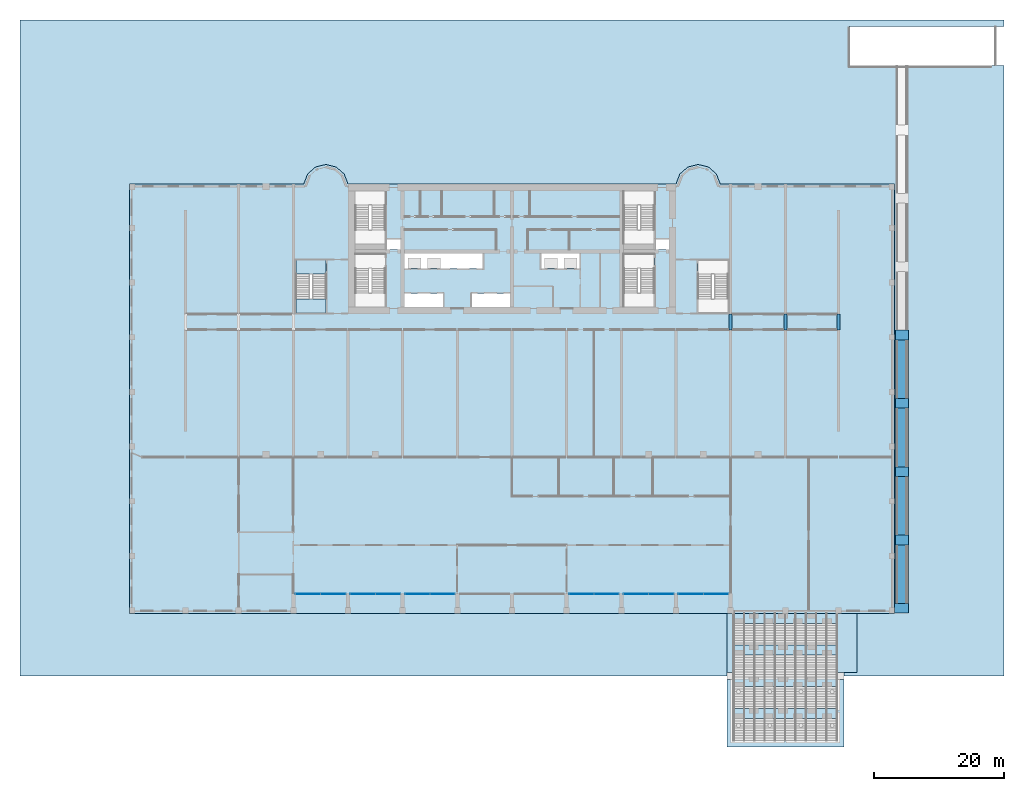
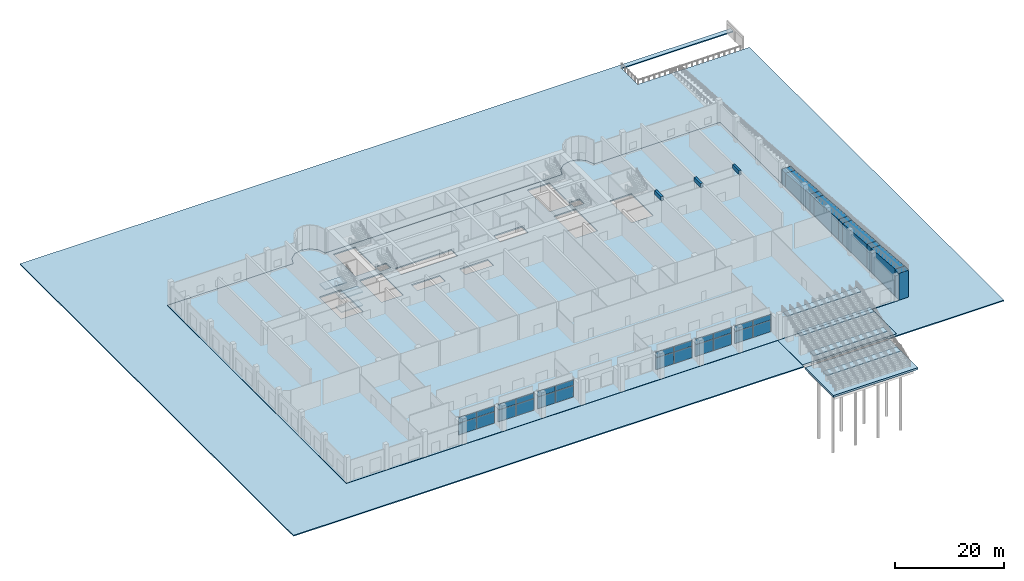
# One storey, part 5 of 20: 24 plates, 20 slabs, 3 beams, 8 elements without a shape of their own.
"""IFC4 building model written with IfcOpenShell, lengths in metres."""

from ifc_helpers import new_model, si_unit, direction, frame, origin, origin_2d, place, context, subcontext, project, spatial, polyline, rectangle, outline, extrude, source, transform, mapped, material, layer, layer_set, material_profile, profile_set, type_object, element, aggregate, save


model = new_model("IFC4")

# Units and contexts
model_context = context("Model", 3, precision=1e-05, world=origin(), true_north=direction((0.0, 1.0)))
body_context = subcontext(model_context, "Body", "Model", "MODEL_VIEW")
ifc_project = project(units=[si_unit("LENGTHUNIT", "METRE"), si_unit("AREAUNIT", "SQUARE_METRE"), si_unit("VOLUMEUNIT", "CUBIC_METRE"), si_unit("PLANEANGLEUNIT", "RADIAN"), si_unit("MASSUNIT", "GRAM", prefix="KILO")], contexts=[model_context])

# Site, building, storey
site_placement = place(None, origin())
site = spatial("IfcSite", under=ifc_project, at=site_placement, CompositionType="ELEMENT")
building_placement = place(site_placement, origin())
building = spatial("IfcBuilding", under=site, at=building_placement, Name="Vanashikhar Sky Hotel", CompositionType="ELEMENT")
storey_placement = place(building_placement, origin())
storey = spatial("IfcBuildingStorey", under=building, at=storey_placement, Name="L00", CompositionType="ELEMENT", Elevation=0.0)

# Beams
ifc_material_1 = material(Name="Concrete M50", Category="concrete")
ifc_material_profile = material_profile(ifc_material_1, rectangle(XDim=0.449951171875, YDim=0.89990234375, at=origin_2d()))
ifc_profile_set = profile_set([ifc_material_profile], Name="RC 450x900 beam Concrete M50")
beam_type = type_object("IfcBeamType", Name="RC 450x900 beam Concrete M50", PredefinedType="LINTEL", material=ifc_profile_set)
shared_shape_1 = source(origin(), body_context, "Body", "SweptSolid", [
    extrude(rectangle(XDim=0.449951171875, YDim=0.89990234375, at=origin_2d()), origin(), (0.0, 0.0, 1.0), 2.39990234375),
])
for number, where, z_axis, x_axis, name in (
    (1, (84.0, 19.60009765625, 5.27001953125), (0.0, 1.0, 0.0), (-1.0, 0.0, 0.0), "LB-L00-XW11"),
    (2, (92.39990234375, 19.60009765625, 5.27001953125), (0.0, 1.0, 0.0), (-1.0, 0.0, 0.0), "LB-L00-XW12"),
    (3, (100.574951171875, 19.60009765625, 5.27001953125), (0.0, 1.0, 0.0), (-1.0, 0.0, 0.0), "LB-L00-XW13"),
):
    element("IfcBeam", number, at=place(storey_placement, frame(where, z_axis=z_axis, x_axis=x_axis)), inside=storey, type_object=beam_type, Name=name, PredefinedType="LINTEL", context=body_context, shape_type="MappedRepresentation", body=[
        mapped(shared_shape_1, transform((0.0, 0.0, 0.0), scale=1.0)),
    ])

# Slabs
ifc_material_2 = material(Name="Concrete M40", Category="concrete")
ifc_layer_1 = layer(ifc_material_2, 0.280029296875)
ifc_layer_set_1 = layer_set([ifc_layer_1], Name="Floor slab 280 mm")
slab_type_1 = type_object("IfcSlabType", Name="Floor slab 280 mm", PredefinedType="FLOOR", material=ifc_layer_set_1)
shared_shape_2 = source(origin(), body_context, "Body", "SweptSolid", [
    extrude(outline(polyline([(82.39990234375, 42.0), (81.81494140625, 43.527099609375), (80.587890625, 44.610107421875), (79.0, 45.0), (77.412109375, 44.610107421875), (76.18505859375, 43.527099609375), (75.60009765625, 42.0), (25.199951171875, 42.0), (24.614990234375, 43.527099609375), (23.387939453125, 44.610107421875), (21.800048828125, 45.0), (20.2119140625, 44.610107421875), (18.985107421875, 43.527099609375), (18.39990234375, 42.0), (-8.39990234375, 42.0), (-8.39990234375, -24.0), (109.199951171875, -24.0), (109.199951171875, 42.0), (82.39990234375, 42.0)]), holes=[polyline([(33.300048828125, 33.60009765625), (31.050048828125, 33.60009765625), (31.050048828125, 31.89990234375), (33.300048828125, 31.89990234375), (33.300048828125, 33.60009765625)]), polyline([(33.89990234375, 25.199951171875), (33.89990234375, 23.10009765625), (39.89990234375, 23.10009765625), (39.89990234375, 25.199951171875), (33.89990234375, 25.199951171875)]), polyline([(33.89990234375, 31.300048828125), (33.89990234375, 29.0), (45.89990234375, 29.0), (45.89990234375, 31.300048828125), (33.89990234375, 31.300048828125)]), polyline([(44.10009765625, 25.199951171875), (44.10009765625, 23.10009765625), (50.10009765625, 23.10009765625), (50.10009765625, 25.199951171875), (44.10009765625, 25.199951171875)]), polyline([(54.89990234375, 31.300048828125), (54.89990234375, 29.0), (60.89990234375, 29.0), (60.89990234375, 31.300048828125), (54.89990234375, 31.300048828125)]), polyline([(74.5, 33.60009765625), (72.35009765625, 33.60009765625), (72.35009765625, 31.89990234375), (74.5, 31.89990234375), (74.5, 33.60009765625)]), polyline([(30.949951171875, 23.10009765625), (30.949951171875, 31.199951171875), (26.300048828125, 31.199951171875), (26.300048828125, 23.10009765625), (30.949951171875, 23.10009765625)]), polyline([(72.25, 23.10009765625), (72.25, 31.199951171875), (67.60009765625, 31.199951171875), (67.60009765625, 23.10009765625), (72.25, 23.10009765625)]), polyline([(30.949951171875, 32.800048828125), (30.949951171875, 40.89990234375), (26.300048828125, 40.89990234375), (26.300048828125, 32.800048828125), (30.949951171875, 32.800048828125)]), polyline([(72.25, 32.800048828125), (72.25, 40.89990234375), (67.60009765625, 40.89990234375), (67.60009765625, 32.800048828125), (72.25, 32.800048828125)]), polyline([(83.60009765625, 22.199951171875), (83.60009765625, 30.300048828125), (78.949951171875, 30.300048828125), (78.949951171875, 22.199951171875), (83.60009765625, 22.199951171875)]), polyline([(21.85009765625, 22.199951171875), (21.85009765625, 30.300048828125), (17.199951171875, 30.300048828125), (17.199951171875, 22.199951171875), (21.85009765625, 22.199951171875)])]), origin(), (0.0, 0.0, 1.0), 0.280029296875),
])
slab_1_placement = place(storey_placement, frame((0.0, 0.0, -0.280029296875)))
element("IfcSlab", 4, at=slab_1_placement, inside=storey, type_object=slab_type_1, Name="Floor slab L00", PredefinedType="FLOOR", context=body_context, shape_type="MappedRepresentation", body=[
    mapped(shared_shape_2, transform((0.0, 0.0, 0.0), scale=1.0)),
])
ifc_layer_2 = layer(ifc_material_2, 0.22998046875)
ifc_layer_set_2 = layer_set([ifc_layer_2], Name="Plaza slab 230 mm")
slab_type_2 = type_object("IfcSlabType", Name="Plaza slab 230 mm", PredefinedType="ROOF", material=ifc_layer_set_2)
shared_shape_3 = source(origin(), body_context, "Body", "SweptSolid", [
    extrude(outline(polyline([(126.0, 66.199951171875), (102.199951171875, 66.199951171875), (102.199951171875, 60.199951171875), (126.0, 60.199951171875), (126.0, -33.60009765625), (101.39990234375, -33.60009765625), (101.39990234375, -33.10009765625), (103.39990234375, -33.10009765625), (103.39990234375, -24.0), (109.199951171875, -24.0), (109.199951171875, 42.0), (82.39990234375, 42.0), (81.81494140625, 43.527099609375), (80.587890625, 44.610107421875), (79.0, 45.0), (77.412109375, 44.610107421875), (76.18505859375, 43.527099609375), (75.60009765625, 42.0), (25.199951171875, 42.0), (24.614990234375, 43.527099609375), (23.387939453125, 44.610107421875), (21.800048828125, 45.0), (20.2119140625, 44.610107421875), (18.985107421875, 43.527099609375), (18.39990234375, 42.0), (-8.39990234375, 42.0), (-8.39990234375, -24.0), (83.39990234375, -24.0), (83.39990234375, -33.60009765625), (-25.199951171875, -33.60009765625), (-25.199951171875, 67.199951171875), (126.0, 67.199951171875), (126.0, 66.199951171875)])), origin(), (0.0, 0.0, 1.0), 0.22998046875),
])
slab_2_placement = place(storey_placement, frame((0.0, 0.0, -0.280029296875)))
element("IfcSlab", 5, at=slab_2_placement, inside=storey, type_object=slab_type_2, Name="Plaza slab 1", PredefinedType="ROOF", context=body_context, shape_type="MappedRepresentation", body=[
    mapped(shared_shape_3, transform((0.0, 0.0, 0.0), scale=1.0)),
])
ifc_layer_3 = layer(ifc_material_2, 0.449951171875)
ifc_layer_set_3 = layer_set([ifc_layer_3], Name="Stair podium slab 450 mm")
slab_type_3 = type_object("IfcSlabType", Name="Stair podium slab 450 mm", PredefinedType="ROOF", material=ifc_layer_set_3)
shared_shape_4 = source(origin(), body_context, "Body", "SweptSolid", [
    extrude(outline(polyline([(83.39990234375, -33.10009765625), (103.39990234375, -33.10009765625), (103.39990234375, -24.0), (83.39990234375, -24.0), (83.39990234375, -33.10009765625)])), origin(), (0.0, 0.0, 1.0), 0.449951171875),
])
slab_3_placement = place(storey_placement, frame((0.0, 0.0, -0.449951171875)))
element("IfcSlab", 6, at=slab_3_placement, inside=storey, type_object=slab_type_3, Name="Garden stair podium slab", PredefinedType="ROOF", context=body_context, shape_type="MappedRepresentation", body=[
    mapped(shared_shape_4, transform((0.0, 0.0, 0.0), scale=1.0)),
])
ifc_layer_4 = layer(ifc_material_2, 0.449951171875)
ifc_layer_set_4 = layer_set([ifc_layer_4], Name="Garden stair foot slab 450 mm")
slab_type_4 = type_object("IfcSlabType", Name="Garden stair foot slab 450 mm", PredefinedType="FLOOR", material=ifc_layer_set_4)
shared_shape_5 = source(origin(), body_context, "Body", "SweptSolid", [
    extrude(outline(polyline([(83.39990234375, -44.5), (101.39990234375, -44.5), (101.39990234375, -34.10009765625), (83.39990234375, -34.10009765625), (83.39990234375, -44.5)])), origin(), (0.0, 0.0, 1.0), 0.449951171875),
])
slab_4_placement = place(storey_placement, frame((0.0, 0.0, -0.449951171875)))
element("IfcSlab", 7, at=slab_4_placement, inside=storey, type_object=slab_type_4, Name="Garden stair base slab", PredefinedType="FLOOR", context=body_context, shape_type="MappedRepresentation", body=[
    mapped(shared_shape_5, transform((0.0, 0.0, 0.0), scale=1.0)),
])

# Curtain wall, plates
ifc_material_3 = material(Name="Glass", Category="glass")
ifc_layer_5 = layer(ifc_material_3, 0.159912109375)
ifc_layer_set_5 = layer_set([ifc_layer_5], Name="Lobby curtain wall")
curtain_wall_type = type_object("IfcCurtainWallType", Name="Lobby curtain wall", PredefinedType="NOTDEFINED", material=ifc_layer_set_5)
curtain_wall_1_placement = place(storey_placement, origin())
curtain_wall_1 = element("IfcCurtainWall", 8, at=curtain_wall_1_placement, inside=storey, type_object=curtain_wall_type, Name="Lobby curtain wall", PredefinedType="NOTDEFINED")
ifc_layer_6 = layer(ifc_material_3, 0.028076171875)
ifc_layer_set_6 = layer_set([ifc_layer_6], Name="Podium curtain wall panel 28")
plate_type = type_object("IfcPlateType", Name="Podium curtain wall panel 28", PredefinedType="CURTAIN_PANEL", material=ifc_layer_set_6)
shared_shape_6 = source(origin(), body_context, "Body", "SweptSolid", [
    extrude(rectangle(XDim=3.81005859375, YDim=0.028076171875, at=origin_2d()), origin(), (0.0, 0.0, 1.0), 2.610107421875),
])
plate_1_placement = place(storey_placement, frame((19.06494140625, -21.0, 0.06005859375), z_axis=(0.0, 0.0, 1.0), x_axis=(1.0, 0.0, 0.0)))
plate_1 = element("IfcPlate", 9, at=plate_1_placement, type_object=plate_type, Name="CW-1.001 panel 1.1", PredefinedType="CURTAIN_PANEL", context=body_context, shape_type="MappedRepresentation", body=[
    mapped(shared_shape_6, transform((0.0, 0.0, 0.0), scale=1.0)),
])
plate_2_placement = place(storey_placement, frame((22.93505859375, -21.0, 0.06005859375), z_axis=(0.0, 0.0, 1.0), x_axis=(1.0, 0.0, 0.0)))
plate_2 = element("IfcPlate", 10, at=plate_2_placement, type_object=plate_type, Name="CW-1.001 panel 2.1", PredefinedType="CURTAIN_PANEL", context=body_context, shape_type="MappedRepresentation", body=[
    mapped(shared_shape_6, transform((0.0, 0.0, 0.0), scale=1.0)),
])

curtain_wall_2_placement = place(storey_placement, origin())
curtain_wall_2 = element("IfcCurtainWall", 11, at=curtain_wall_2_placement, inside=storey, type_object=curtain_wall_type, Name="Lobby curtain wall", PredefinedType="NOTDEFINED")
plate_3_placement = place(storey_placement, frame((27.465087890625, -21.0, 0.06005859375), z_axis=(0.0, 0.0, 1.0), x_axis=(1.0, 0.0, 0.0)))
plate_3 = element("IfcPlate", 12, at=plate_3_placement, type_object=plate_type, Name="CW-1.002 panel 1.1", PredefinedType="CURTAIN_PANEL", context=body_context, shape_type="MappedRepresentation", body=[
    mapped(shared_shape_6, transform((0.0, 0.0, 0.0), scale=1.0)),
])
plate_4_placement = place(storey_placement, frame((31.3349609375, -21.0, 0.06005859375), z_axis=(0.0, 0.0, 1.0), x_axis=(1.0, 0.0, 0.0)))
plate_4 = element("IfcPlate", 13, at=plate_4_placement, type_object=plate_type, Name="CW-1.002 panel 2.1", PredefinedType="CURTAIN_PANEL", context=body_context, shape_type="MappedRepresentation", body=[
    mapped(shared_shape_6, transform((0.0, 0.0, 0.0), scale=1.0)),
])

curtain_wall_3_placement = place(storey_placement, origin())
curtain_wall_3 = element("IfcCurtainWall", 14, at=curtain_wall_3_placement, inside=storey, type_object=curtain_wall_type, Name="Lobby curtain wall", PredefinedType="NOTDEFINED")
plate_5_placement = place(storey_placement, frame((35.864990234375, -21.0, 0.06005859375), z_axis=(0.0, 0.0, 1.0), x_axis=(1.0, 0.0, 0.0)))
plate_5 = element("IfcPlate", 15, at=plate_5_placement, type_object=plate_type, Name="CW-1.003 panel 1.1", PredefinedType="CURTAIN_PANEL", context=body_context, shape_type="MappedRepresentation", body=[
    mapped(shared_shape_6, transform((0.0, 0.0, 0.0), scale=1.0)),
])
plate_6_placement = place(storey_placement, frame((39.735107421875, -21.0, 0.06005859375), z_axis=(0.0, 0.0, 1.0), x_axis=(1.0, 0.0, 0.0)))
plate_6 = element("IfcPlate", 16, at=plate_6_placement, type_object=plate_type, Name="CW-1.003 panel 2.1", PredefinedType="CURTAIN_PANEL", context=body_context, shape_type="MappedRepresentation", body=[
    mapped(shared_shape_6, transform((0.0, 0.0, 0.0), scale=1.0)),
])

curtain_wall_4_placement = place(storey_placement, origin())
curtain_wall_4 = element("IfcCurtainWall", 17, at=curtain_wall_4_placement, inside=storey, type_object=curtain_wall_type, Name="Lobby curtain wall", PredefinedType="NOTDEFINED")
plate_7_placement = place(storey_placement, frame((61.06494140625, -21.0, 0.06005859375), z_axis=(0.0, 0.0, 1.0), x_axis=(1.0, 0.0, 0.0)))
plate_7 = element("IfcPlate", 18, at=plate_7_placement, type_object=plate_type, Name="CW-1.004 panel 1.1", PredefinedType="CURTAIN_PANEL", context=body_context, shape_type="MappedRepresentation", body=[
    mapped(shared_shape_6, transform((0.0, 0.0, 0.0), scale=1.0)),
])
plate_8_placement = place(storey_placement, frame((64.93505859375, -21.0, 0.06005859375), z_axis=(0.0, 0.0, 1.0), x_axis=(1.0, 0.0, 0.0)))
plate_8 = element("IfcPlate", 19, at=plate_8_placement, type_object=plate_type, Name="CW-1.004 panel 2.1", PredefinedType="CURTAIN_PANEL", context=body_context, shape_type="MappedRepresentation", body=[
    mapped(shared_shape_6, transform((0.0, 0.0, 0.0), scale=1.0)),
])

curtain_wall_5_placement = place(storey_placement, origin())
curtain_wall_5 = element("IfcCurtainWall", 20, at=curtain_wall_5_placement, inside=storey, type_object=curtain_wall_type, Name="Lobby curtain wall", PredefinedType="NOTDEFINED")
plate_9_placement = place(storey_placement, frame((69.465087890625, -21.0, 0.06005859375), z_axis=(0.0, 0.0, 1.0), x_axis=(1.0, 0.0, 0.0)))
plate_9 = element("IfcPlate", 21, at=plate_9_placement, type_object=plate_type, Name="CW-1.005 panel 1.1", PredefinedType="CURTAIN_PANEL", context=body_context, shape_type="MappedRepresentation", body=[
    mapped(shared_shape_6, transform((0.0, 0.0, 0.0), scale=1.0)),
])
plate_10_placement = place(storey_placement, frame((73.3349609375, -21.0, 0.06005859375), z_axis=(0.0, 0.0, 1.0), x_axis=(1.0, 0.0, 0.0)))
plate_10 = element("IfcPlate", 22, at=plate_10_placement, type_object=plate_type, Name="CW-1.005 panel 2.1", PredefinedType="CURTAIN_PANEL", context=body_context, shape_type="MappedRepresentation", body=[
    mapped(shared_shape_6, transform((0.0, 0.0, 0.0), scale=1.0)),
])

curtain_wall_6_placement = place(storey_placement, origin())
curtain_wall_6 = element("IfcCurtainWall", 23, at=curtain_wall_6_placement, inside=storey, type_object=curtain_wall_type, Name="Lobby curtain wall", PredefinedType="NOTDEFINED")
plate_11_placement = place(storey_placement, frame((77.864990234375, -21.0, 0.06005859375), z_axis=(0.0, 0.0, 1.0), x_axis=(1.0, 0.0, 0.0)))
plate_11 = element("IfcPlate", 24, at=plate_11_placement, type_object=plate_type, Name="CW-1.006 panel 1.1", PredefinedType="CURTAIN_PANEL", context=body_context, shape_type="MappedRepresentation", body=[
    mapped(shared_shape_6, transform((0.0, 0.0, 0.0), scale=1.0)),
])
plate_12_placement = place(storey_placement, frame((81.735107421875, -21.0, 0.06005859375), z_axis=(0.0, 0.0, 1.0), x_axis=(1.0, 0.0, 0.0)))
plate_12 = element("IfcPlate", 25, at=plate_12_placement, type_object=plate_type, Name="CW-1.006 panel 2.1", PredefinedType="CURTAIN_PANEL", context=body_context, shape_type="MappedRepresentation", body=[
    mapped(shared_shape_6, transform((0.0, 0.0, 0.0), scale=1.0)),
])

# Plate
shared_shape_7 = source(origin(), body_context, "Body", "SweptSolid", [
    extrude(rectangle(XDim=3.81005859375, YDim=0.028076171875, at=origin_2d()), origin(), (0.0, 0.0, 1.0), 1.260009765625),
])
plate_13_placement = place(storey_placement, frame((19.06494140625, -21.0, 2.72998046875), z_axis=(0.0, 0.0, 1.0), x_axis=(1.0, 0.0, 0.0)))
plate_13 = element("IfcPlate", 26, at=plate_13_placement, type_object=plate_type, Name="CW-1.001 panel 1.2", PredefinedType="CURTAIN_PANEL", context=body_context, shape_type="MappedRepresentation", body=[
    mapped(shared_shape_7, transform((0.0, 0.0, 0.0), scale=1.0)),
])

plate_14_placement = place(storey_placement, frame((22.93505859375, -21.0, 2.72998046875), z_axis=(0.0, 0.0, 1.0), x_axis=(1.0, 0.0, 0.0)))
plate_14 = element("IfcPlate", 27, at=plate_14_placement, type_object=plate_type, Name="CW-1.001 panel 2.2", PredefinedType="CURTAIN_PANEL", context=body_context, shape_type="MappedRepresentation", body=[
    mapped(shared_shape_7, transform((0.0, 0.0, 0.0), scale=1.0)),
])

aggregate(curtain_wall_1, [plate_1, plate_13, plate_2, plate_14])

plate_15_placement = place(storey_placement, frame((27.465087890625, -21.0, 2.72998046875), z_axis=(0.0, 0.0, 1.0), x_axis=(1.0, 0.0, 0.0)))
plate_15 = element("IfcPlate", 28, at=plate_15_placement, type_object=plate_type, Name="CW-1.002 panel 1.2", PredefinedType="CURTAIN_PANEL", context=body_context, shape_type="MappedRepresentation", body=[
    mapped(shared_shape_7, transform((0.0, 0.0, 0.0), scale=1.0)),
])

plate_16_placement = place(storey_placement, frame((31.3349609375, -21.0, 2.72998046875), z_axis=(0.0, 0.0, 1.0), x_axis=(1.0, 0.0, 0.0)))
plate_16 = element("IfcPlate", 29, at=plate_16_placement, type_object=plate_type, Name="CW-1.002 panel 2.2", PredefinedType="CURTAIN_PANEL", context=body_context, shape_type="MappedRepresentation", body=[
    mapped(shared_shape_7, transform((0.0, 0.0, 0.0), scale=1.0)),
])

aggregate(curtain_wall_2, [plate_3, plate_15, plate_4, plate_16])

plate_17_placement = place(storey_placement, frame((35.864990234375, -21.0, 2.72998046875), z_axis=(0.0, 0.0, 1.0), x_axis=(1.0, 0.0, 0.0)))
plate_17 = element("IfcPlate", 30, at=plate_17_placement, type_object=plate_type, Name="CW-1.003 panel 1.2", PredefinedType="CURTAIN_PANEL", context=body_context, shape_type="MappedRepresentation", body=[
    mapped(shared_shape_7, transform((0.0, 0.0, 0.0), scale=1.0)),
])

plate_18_placement = place(storey_placement, frame((39.735107421875, -21.0, 2.72998046875), z_axis=(0.0, 0.0, 1.0), x_axis=(1.0, 0.0, 0.0)))
plate_18 = element("IfcPlate", 31, at=plate_18_placement, type_object=plate_type, Name="CW-1.003 panel 2.2", PredefinedType="CURTAIN_PANEL", context=body_context, shape_type="MappedRepresentation", body=[
    mapped(shared_shape_7, transform((0.0, 0.0, 0.0), scale=1.0)),
])

aggregate(curtain_wall_3, [plate_5, plate_17, plate_6, plate_18])

plate_19_placement = place(storey_placement, frame((61.06494140625, -21.0, 2.72998046875), z_axis=(0.0, 0.0, 1.0), x_axis=(1.0, 0.0, 0.0)))
plate_19 = element("IfcPlate", 32, at=plate_19_placement, type_object=plate_type, Name="CW-1.004 panel 1.2", PredefinedType="CURTAIN_PANEL", context=body_context, shape_type="MappedRepresentation", body=[
    mapped(shared_shape_7, transform((0.0, 0.0, 0.0), scale=1.0)),
])

plate_20_placement = place(storey_placement, frame((64.93505859375, -21.0, 2.72998046875), z_axis=(0.0, 0.0, 1.0), x_axis=(1.0, 0.0, 0.0)))
plate_20 = element("IfcPlate", 33, at=plate_20_placement, type_object=plate_type, Name="CW-1.004 panel 2.2", PredefinedType="CURTAIN_PANEL", context=body_context, shape_type="MappedRepresentation", body=[
    mapped(shared_shape_7, transform((0.0, 0.0, 0.0), scale=1.0)),
])

aggregate(curtain_wall_4, [plate_7, plate_19, plate_8, plate_20])

plate_21_placement = place(storey_placement, frame((69.465087890625, -21.0, 2.72998046875), z_axis=(0.0, 0.0, 1.0), x_axis=(1.0, 0.0, 0.0)))
plate_21 = element("IfcPlate", 34, at=plate_21_placement, type_object=plate_type, Name="CW-1.005 panel 1.2", PredefinedType="CURTAIN_PANEL", context=body_context, shape_type="MappedRepresentation", body=[
    mapped(shared_shape_7, transform((0.0, 0.0, 0.0), scale=1.0)),
])

plate_22_placement = place(storey_placement, frame((73.3349609375, -21.0, 2.72998046875), z_axis=(0.0, 0.0, 1.0), x_axis=(1.0, 0.0, 0.0)))
plate_22 = element("IfcPlate", 35, at=plate_22_placement, type_object=plate_type, Name="CW-1.005 panel 2.2", PredefinedType="CURTAIN_PANEL", context=body_context, shape_type="MappedRepresentation", body=[
    mapped(shared_shape_7, transform((0.0, 0.0, 0.0), scale=1.0)),
])

aggregate(curtain_wall_5, [plate_9, plate_21, plate_10, plate_22])

plate_23_placement = place(storey_placement, frame((77.864990234375, -21.0, 2.72998046875), z_axis=(0.0, 0.0, 1.0), x_axis=(1.0, 0.0, 0.0)))
plate_23 = element("IfcPlate", 36, at=plate_23_placement, type_object=plate_type, Name="CW-1.006 panel 1.2", PredefinedType="CURTAIN_PANEL", context=body_context, shape_type="MappedRepresentation", body=[
    mapped(shared_shape_7, transform((0.0, 0.0, 0.0), scale=1.0)),
])

plate_24_placement = place(storey_placement, frame((81.735107421875, -21.0, 2.72998046875), z_axis=(0.0, 0.0, 1.0), x_axis=(1.0, 0.0, 0.0)))
plate_24 = element("IfcPlate", 37, at=plate_24_placement, type_object=plate_type, Name="CW-1.006 panel 2.2", PredefinedType="CURTAIN_PANEL", context=body_context, shape_type="MappedRepresentation", body=[
    mapped(shared_shape_7, transform((0.0, 0.0, 0.0), scale=1.0)),
])

aggregate(curtain_wall_6, [plate_11, plate_23, plate_12, plate_24])

# Stair, slabs
ifc_material_4 = material(Name="Concrete M30", Category="concrete")
stair_type_1 = type_object("IfcStairType", Name="Garden stair 1500", PredefinedType="STRAIGHT_RUN_STAIR", material=ifc_material_4)
stair_1_placement = place(storey_placement, origin())
stair_1 = element("IfcStair", 38, at=stair_1_placement, inside=storey, type_object=stair_type_1, Name="Garden stair 1", PredefinedType="STRAIGHT_RUN_STAIR")
ifc_layer_7 = layer(ifc_material_4, 0.199951171875)
ifc_layer_set_7 = layer_set([ifc_layer_7], Name="Garden stair landing 200")
slab_type_5 = type_object("IfcSlabType", Name="Garden stair landing 200", PredefinedType="LANDING", material=ifc_layer_set_7)
shared_shape_8 = source(origin(), body_context, "Body", "SweptSolid", [
    extrude(outline(polyline([(84.5400390625, -40.125), (100.260009765625, -40.125), (100.260009765625, -38.625), (84.5400390625, -38.625), (84.5400390625, -40.125)])), origin(), (0.0, 0.0, 1.0), 0.199951171875),
])
slab_5_placement = place(storey_placement, frame((0.0, 0.0, 1.300048828125)))
slab_5 = element("IfcSlab", 39, at=slab_5_placement, type_object=slab_type_5, Name="ST-G1 landing 1", PredefinedType="LANDING", context=body_context, shape_type="MappedRepresentation", body=[
    mapped(shared_shape_8, transform((0.0, 0.0, 0.0), scale=1.0)),
])
shared_shape_9 = source(origin(), body_context, "Body", "SweptSolid", [
    extrude(outline(polyline([(84.5400390625, -35.25), (100.260009765625, -35.25), (100.260009765625, -33.75), (84.5400390625, -33.75), (84.5400390625, -35.25)])), origin(), (0.0, 0.0, 1.0), 0.199951171875),
])
slab_6_placement = place(storey_placement, frame((0.0, 0.0, 2.800048828125)))
slab_6 = element("IfcSlab", 40, at=slab_6_placement, type_object=slab_type_5, Name="ST-G1 landing 2", PredefinedType="LANDING", context=body_context, shape_type="MappedRepresentation", body=[
    mapped(shared_shape_9, transform((0.0, 0.0, 0.0), scale=1.0)),
])
shared_shape_10 = source(origin(), body_context, "Body", "SweptSolid", [
    extrude(outline(polyline([(84.5400390625, -30.375), (100.260009765625, -30.375), (100.260009765625, -28.875), (84.5400390625, -28.875), (84.5400390625, -30.375)])), origin(), (0.0, 0.0, 1.0), 0.199951171875),
])
slab_7_placement = place(storey_placement, frame((0.0, 0.0, 4.300048828125)))
slab_7 = element("IfcSlab", 41, at=slab_7_placement, type_object=slab_type_5, Name="ST-G1 landing 3", PredefinedType="LANDING", context=body_context, shape_type="MappedRepresentation", body=[
    mapped(shared_shape_10, transform((0.0, 0.0, 0.0), scale=1.0)),
])
shared_shape_11 = source(origin(), body_context, "Body", "SweptSolid", [
    extrude(outline(polyline([(84.5400390625, -25.5), (100.260009765625, -25.5), (100.260009765625, -24.0), (84.5400390625, -24.0), (84.5400390625, -25.5)])), origin(), (0.0, 0.0, 1.0), 0.199951171875),
])
slab_8_placement = place(storey_placement, frame((0.0, 0.0, 5.800048828125)))
slab_8 = element("IfcSlab", 42, at=slab_8_placement, type_object=slab_type_5, Name="ST-G1 landing 4", PredefinedType="LANDING", context=body_context, shape_type="MappedRepresentation", body=[
    mapped(shared_shape_11, transform((0.0, 0.0, 0.0), scale=1.0)),
])
aggregate(stair_1, [slab_5, slab_6, slab_7, slab_8])

# Slabs
ifc_layer_8 = layer(ifc_material_2, 0.25)
ifc_layer_set_8 = layer_set([ifc_layer_8], Name="Ramp landing")
slab_type_6 = type_object("IfcSlabType", Name="Ramp landing", PredefinedType="LANDING", material=ifc_layer_set_8)
shared_shape_12 = source(origin(), body_context, "Body", "SweptSolid", [
    extrude(outline(polyline([(109.300048828125, 19.550048828125), (111.300048828125, 19.550048828125), (111.300048828125, 18.050048828125), (109.300048828125, 18.050048828125), (109.300048828125, 19.550048828125)])), origin(), (0.0, 0.0, 1.0), 3.050048828125),
])
slab_9_placement = place(storey_placement, frame((0.0, 0.0, -0.050048828125)))
element("IfcSlab", 43, at=slab_9_placement, inside=storey, type_object=slab_type_6, Name="Ramp landing", PredefinedType="LANDING", context=body_context, shape_type="MappedRepresentation", body=[
    mapped(shared_shape_12, transform((0.0, 0.0, 0.0), scale=1.0)),
])
slab_type_7 = type_object("IfcSlabType", Name="Ramp flight 2000", PredefinedType="USERDEFINED", material=ifc_material_4)
shared_shape_13 = source(origin(), body_context, "Body", "SweptSolid", [
    extrude(outline(polyline([(0.0, 0.0), (9.0, 0.0), (9.0, 3.800048828125), (0.0, 3.050048828125), (0.0, 0.0)])), frame((0.0, 1.0, 0.0), z_axis=(0.0, -1.0, 0.0), x_axis=(1.0, 0.0, 0.0)), (0.0, 0.0, 1.0), 2.0),
])
slab_10_placement = place(storey_placement, frame((110.300048828125, 18.050048828125, -0.050048828125), z_axis=(0.0, 0.0, 1.0), x_axis=(0.0, -1.0, 0.0)))
element("IfcSlab", 44, at=slab_10_placement, inside=storey, type_object=slab_type_7, Name="Entrance ramp slab 5", ObjectType="Ramp slab", PredefinedType="USERDEFINED", context=body_context, shape_type="MappedRepresentation", body=[
    mapped(shared_shape_13, transform((0.0, 0.0, 0.0), scale=1.0)),
])
shared_shape_14 = source(origin(), body_context, "Body", "SweptSolid", [
    extrude(outline(polyline([(109.300048828125, 9.050048828125), (111.300048828125, 9.050048828125), (111.300048828125, 7.550048828125), (109.300048828125, 7.550048828125), (109.300048828125, 9.050048828125)])), origin(), (0.0, 0.0, 1.0), 3.800048828125),
])
slab_11_placement = place(storey_placement, frame((0.0, 0.0, -0.050048828125)))
element("IfcSlab", 45, at=slab_11_placement, inside=storey, type_object=slab_type_6, Name="Ramp landing", PredefinedType="LANDING", context=body_context, shape_type="MappedRepresentation", body=[
    mapped(shared_shape_14, transform((0.0, 0.0, 0.0), scale=1.0)),
])
shared_shape_15 = source(origin(), body_context, "Body", "SweptSolid", [
    extrude(outline(polyline([(0.0, 0.0), (9.0, 0.0), (9.0, 4.550048828125), (0.0, 3.800048828125), (0.0, 0.0)])), frame((0.0, 1.0, 0.0), z_axis=(0.0, -1.0, 0.0), x_axis=(1.0, 0.0, 0.0)), (0.0, 0.0, 1.0), 2.0),
])
slab_12_placement = place(storey_placement, frame((110.300048828125, 7.550048828125, -0.050048828125), z_axis=(0.0, 0.0, 1.0), x_axis=(0.0, -1.0, 0.0)))
element("IfcSlab", 46, at=slab_12_placement, inside=storey, type_object=slab_type_7, Name="Entrance ramp slab 6", ObjectType="Ramp slab", PredefinedType="USERDEFINED", context=body_context, shape_type="MappedRepresentation", body=[
    mapped(shared_shape_15, transform((0.0, 0.0, 0.0), scale=1.0)),
])
shared_shape_16 = source(origin(), body_context, "Body", "SweptSolid", [
    extrude(outline(polyline([(109.300048828125, -1.449951171875), (111.300048828125, -1.449951171875), (111.300048828125, -2.949951171875), (109.300048828125, -2.949951171875), (109.300048828125, -1.449951171875)])), origin(), (0.0, 0.0, 1.0), 4.550048828125),
])
slab_13_placement = place(storey_placement, frame((0.0, 0.0, -0.050048828125)))
element("IfcSlab", 47, at=slab_13_placement, inside=storey, type_object=slab_type_6, Name="Ramp landing", PredefinedType="LANDING", context=body_context, shape_type="MappedRepresentation", body=[
    mapped(shared_shape_16, transform((0.0, 0.0, 0.0), scale=1.0)),
])
shared_shape_17 = source(origin(), body_context, "Body", "SweptSolid", [
    extrude(outline(polyline([(0.0, 0.0), (9.0, 0.0), (9.0, 5.300048828125), (0.0, 4.550048828125), (0.0, 0.0)])), frame((0.0, 1.0, 0.0), z_axis=(0.0, -1.0, 0.0), x_axis=(1.0, 0.0, 0.0)), (0.0, 0.0, 1.0), 2.0),
])
slab_14_placement = place(storey_placement, frame((110.300048828125, -2.949951171875, -0.050048828125), z_axis=(0.0, 0.0, 1.0), x_axis=(0.0, -1.0, 0.0)))
element("IfcSlab", 48, at=slab_14_placement, inside=storey, type_object=slab_type_7, Name="Entrance ramp slab 7", ObjectType="Ramp slab", PredefinedType="USERDEFINED", context=body_context, shape_type="MappedRepresentation", body=[
    mapped(shared_shape_17, transform((0.0, 0.0, 0.0), scale=1.0)),
])
shared_shape_18 = source(origin(), body_context, "Body", "SweptSolid", [
    extrude(outline(polyline([(109.300048828125, -11.949951171875), (111.300048828125, -11.949951171875), (111.300048828125, -13.449951171875), (109.300048828125, -13.449951171875), (109.300048828125, -11.949951171875)])), origin(), (0.0, 0.0, 1.0), 5.300048828125),
])
slab_15_placement = place(storey_placement, frame((0.0, 0.0, -0.050048828125)))
element("IfcSlab", 49, at=slab_15_placement, inside=storey, type_object=slab_type_6, Name="Ramp landing", PredefinedType="LANDING", context=body_context, shape_type="MappedRepresentation", body=[
    mapped(shared_shape_18, transform((0.0, 0.0, 0.0), scale=1.0)),
])
shared_shape_19 = source(origin(), body_context, "Body", "SweptSolid", [
    extrude(outline(polyline([(0.0, 0.0), (9.0, 0.0), (9.0, 6.050048828125), (0.0, 5.300048828125), (0.0, 0.0)])), frame((0.0, 1.0, 0.0), z_axis=(0.0, -1.0, 0.0), x_axis=(1.0, 0.0, 0.0)), (0.0, 0.0, 1.0), 2.0),
])
slab_16_placement = place(storey_placement, frame((110.300048828125, -13.449951171875, -0.050048828125), z_axis=(0.0, 0.0, 1.0), x_axis=(0.0, -1.0, 0.0)))
element("IfcSlab", 50, at=slab_16_placement, inside=storey, type_object=slab_type_7, Name="Entrance ramp slab 8", ObjectType="Ramp slab", PredefinedType="USERDEFINED", context=body_context, shape_type="MappedRepresentation", body=[
    mapped(shared_shape_19, transform((0.0, 0.0, 0.0), scale=1.0)),
])
shared_shape_20 = source(origin(), body_context, "Body", "SweptSolid", [
    extrude(outline(polyline([(109.197998046875, -22.449951171875), (111.300048828125, -22.449951171875), (111.300048828125, -23.949951171875), (109.197998046875, -23.949951171875), (109.197998046875, -22.449951171875)])), origin(), (0.0, 0.0, 1.0), 6.050048828125),
])
slab_17_placement = place(storey_placement, frame((0.0, 0.0, -0.050048828125)))
element("IfcSlab", 51, at=slab_17_placement, inside=storey, type_object=slab_type_6, Name="Ramp landing", PredefinedType="LANDING", context=body_context, shape_type="MappedRepresentation", body=[
    mapped(shared_shape_20, transform((0.0, 0.0, 0.0), scale=1.0)),
])

# Stair, slabs
stair_type_2 = type_object("IfcStairType", Name="Exit stair 2150", PredefinedType="DOUBLE_RETURN_STAIR", material=ifc_material_2)
stair_2_placement = place(storey_placement, origin())
stair_2 = element("IfcStair", 52, at=stair_2_placement, inside=storey, type_object=stair_type_2, Name="L00 Exit stair 3", PredefinedType="DOUBLE_RETURN_STAIR")
ifc_layer_9 = layer(ifc_material_2, 0.199951171875)
ifc_layer_set_9 = layer_set([ifc_layer_9], Name="Stair landing 200")
slab_type_8 = type_object("IfcSlabType", Name="Stair landing 200", PredefinedType="LANDING", material=ifc_layer_set_9)
shared_shape_21 = source(origin(), body_context, "Body", "SweptSolid", [
    extrude(outline(polyline([(21.85009765625, 28.14990234375), (21.85009765625, 30.300048828125), (17.199951171875, 30.300048828125), (17.199951171875, 28.14990234375), (21.85009765625, 28.14990234375)])), origin(), (0.0, 0.0, 1.0), 0.199951171875),
])
slab_18_placement = place(storey_placement, frame((0.0, 0.0, 2.800048828125)))
slab_18 = element("IfcSlab", 53, at=slab_18_placement, type_object=slab_type_8, Name="ST-W landing 2", PredefinedType="LANDING", context=body_context, shape_type="MappedRepresentation", body=[
    mapped(shared_shape_21, transform((0.0, 0.0, 0.0), scale=1.0)),
])
shared_shape_22 = source(origin(), body_context, "Body", "SweptSolid", [
    extrude(outline(polyline([(21.85009765625, 22.199951171875), (21.85009765625, 24.35009765625), (17.199951171875, 24.35009765625), (17.199951171875, 22.199951171875), (21.85009765625, 22.199951171875)])), origin(), (0.0, 0.0, 1.0), 0.199951171875),
])
slab_19_placement = place(storey_placement, frame((0.0, 0.0, 1.300048828125)))
slab_19 = element("IfcSlab", 54, at=slab_19_placement, type_object=slab_type_8, Name="ST-W landing 1", PredefinedType="LANDING", context=body_context, shape_type="MappedRepresentation", body=[
    mapped(shared_shape_22, transform((0.0, 0.0, 0.0), scale=1.0)),
])
slab_20_placement = place(storey_placement, frame((0.0, 0.0, 4.300048828125)))
slab_20 = element("IfcSlab", 55, at=slab_20_placement, type_object=slab_type_8, Name="ST-W landing 3", PredefinedType="LANDING", context=body_context, shape_type="MappedRepresentation", body=[
    mapped(shared_shape_22, transform((0.0, 0.0, 0.0), scale=1.0)),
])
aggregate(stair_2, [slab_19, slab_18, slab_20])

save(model, "model.ifc")
